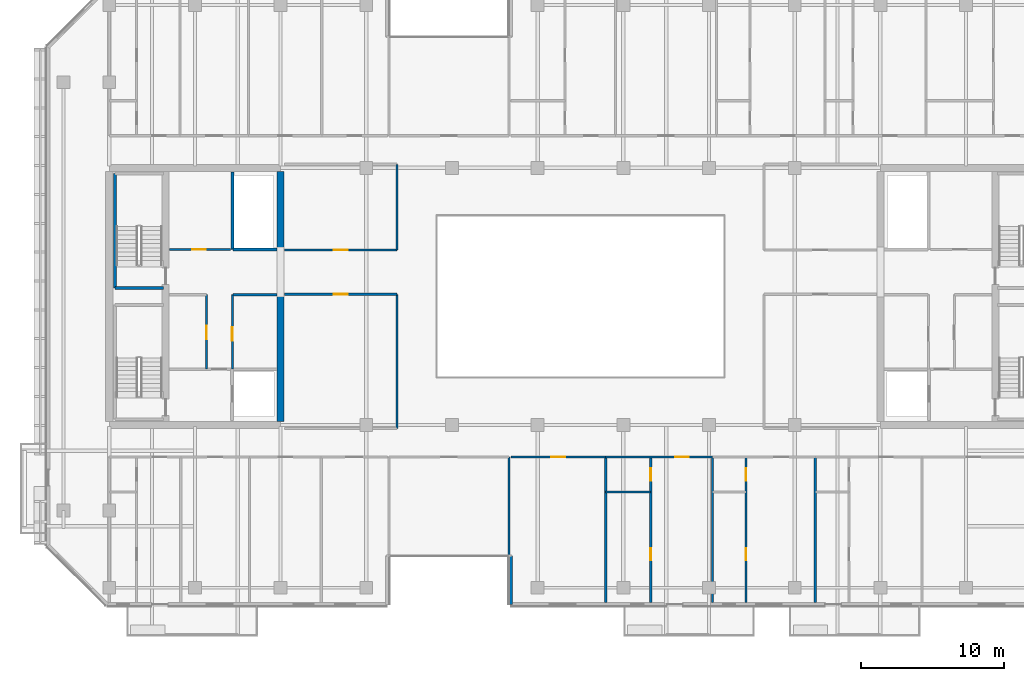
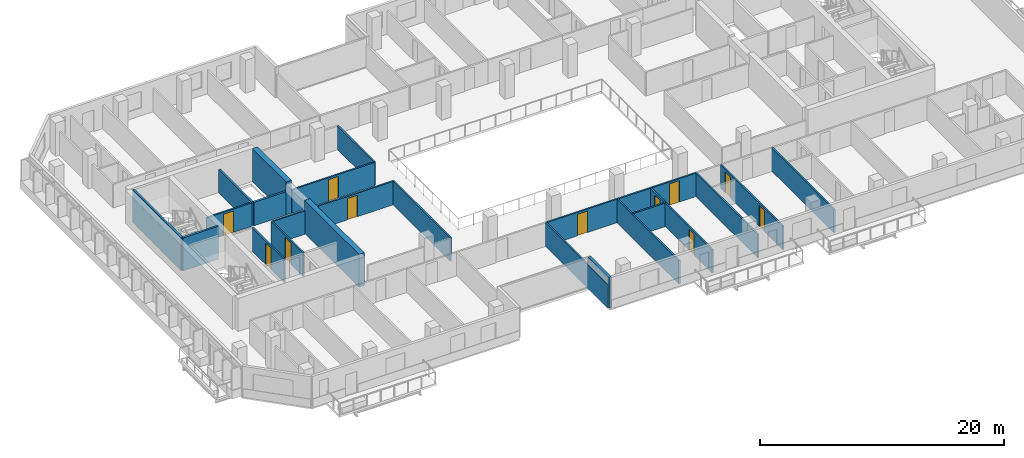
# One storey, part 10 of 19: 24 walls, 11 doors, 11 openings.
"""IFC4 building model written with IfcOpenShell, lengths in metres."""

import ifcopenshell
import ifcopenshell.guid

model = None  # the IFC model being written
_history = None  # IfcOwnerHistory: only IFC2X3 demands one
_inside = {}  # id of a spatial element -> (the spatial element, [elements in it])
_under = {}  # id of a project, library or spatial element -> (it, [spatial elements below it])
_declared = {}  # id of a project -> (the project, [libraries it declares])
_typed = {}  # id of a type object -> (the type object, [elements of that type])
_made_of = {}  # id of a material, layer set ... -> (it, [elements and type objects made of it])


def new_model(schema):
    """Start an empty IFC model of exactly this schema.

    Asked for "IFC4X3", IfcOpenShell would pick the latest addendum, in which some entities
    have other attributes; the version numbers below select the first issue.
    IFC2X3 requires an IfcOwnerHistory on every rooted entity: one is made here for all.
    """
    global model, _history
    if schema == "IFC4X3":
        model = ifcopenshell.file(schema_version=(4, 3, 0, 0))
    else:
        model = ifcopenshell.file(schema=schema)
    _inside.clear()
    _under.clear()
    _declared.clear()
    _typed.clear()
    _made_of.clear()
    _history = None
    if model.schema == "IFC2X3":
        org = make("IfcOrganization", Name="unknown")
        user = make(
            "IfcPersonAndOrganization",
            ThePerson=make("IfcPerson", FamilyName="unknown"),
            TheOrganization=org,
        )
        app = make(
            "IfcApplication",
            ApplicationDeveloper=org,
            Version="unknown",
            ApplicationFullName="unknown",
            ApplicationIdentifier="unknown",
        )
        _history = make(
            "IfcOwnerHistory",
            OwningUser=user,
            OwningApplication=app,
            ChangeAction="ADDED",
            CreationDate=0,
        )
    return model


def make(cls, **values):
    """One entity of the class cls with the attributes given. An attribute that is None is left unset."""
    return model.create_entity(
        cls, **{name: value for name, value in values.items() if value is not None}
    )


def rooted(cls, **values):
    """An entity with a GlobalId (a new one), such as an element, a storey or a relation."""
    return make(cls, GlobalId=ifcopenshell.guid.new(), OwnerHistory=_history, **values)


def si_unit(unit_type, name, prefix=None):
    """IfcSIUnit, for example si_unit("LENGTHUNIT", "METRE", prefix="MILLI")."""
    return make("IfcSIUnit", UnitType=unit_type, Prefix=prefix, Name=name)


def assignment(units):
    """IfcUnitAssignment: the units of a project."""
    return None if units is None else make("IfcUnitAssignment", Units=units)


def point(xyz):
    """IfcCartesianPoint."""
    return None if xyz is None else make("IfcCartesianPoint", Coordinates=xyz)


def direction(xyz):
    """IfcDirection."""
    return None if xyz is None else make("IfcDirection", DirectionRatios=xyz)


def frame(location, z_axis=None, x_axis=None):
    """IfcAxis2Placement3D, a coordinate frame: its origin and axes. An axis left out is left unset."""
    return make(
        "IfcAxis2Placement3D",
        Location=point(location),
        Axis=direction(z_axis),
        RefDirection=direction(x_axis),
    )


def frame_2d(location, x_axis=None):
    """IfcAxis2Placement2D, a coordinate frame in the plane: its origin and x axis."""
    return make(
        "IfcAxis2Placement2D", Location=point(location), RefDirection=direction(x_axis)
    )


def origin():
    """The frame at (0, 0, 0) with its axes left unset."""
    return frame((0.0, 0.0, 0.0))


def place(relative_to, where):
    """IfcLocalPlacement: puts the frame where relative to a parent placement (None: the world)."""
    return make(
        "IfcLocalPlacement", PlacementRelTo=relative_to, RelativePlacement=where
    )


def context(
    kind, dimensions, precision=None, world=None, true_north=None, identifier=None
):
    """IfcGeometricRepresentationContext, for example the 3D "Model" context."""
    return make(
        "IfcGeometricRepresentationContext",
        ContextIdentifier=identifier,
        ContextType=kind,
        CoordinateSpaceDimension=dimensions,
        Precision=precision,
        WorldCoordinateSystem=world,
        TrueNorth=true_north,
    )


def subcontext(parent, identifier, kind, view, scale=None):
    """IfcGeometricRepresentationSubContext, for example "Body" below "Model"."""
    return make(
        "IfcGeometricRepresentationSubContext",
        ContextIdentifier=identifier,
        ContextType=kind,
        ParentContext=parent,
        TargetScale=scale,
        TargetView=view,
    )


def project(units=None, contexts=None):
    """IfcProject with its units and contexts."""
    return rooted(
        "IfcProject",
        Name="project",
        RepresentationContexts=contexts,
        UnitsInContext=assignment(units),
    )


def spatial(cls, under=None, at=None, **own):
    """A site, building, storey or space (cls), placed at a placement, below another one or the project."""
    s = rooted(cls, ObjectPlacement=at, **own)
    if under is not None:
        _under.setdefault(under.id(), (under, []))[1].append(s)
    return s


def profile(cls, at=None, kind="AREA", **sizes):
    """A parametric profile (cls). Its sizes go by their IFC names, for example OverallWidth=200.0."""
    return make(cls, ProfileType=kind, Position=at, **sizes)


def rectangle(**sizes):
    """IfcRectangleProfileDef."""
    return profile("IfcRectangleProfileDef", **sizes)


def extrude(swept, where, along, depth):
    """IfcExtrudedAreaSolid: the profile swept, set in the frame where, extruded along a direction by depth."""
    return make(
        "IfcExtrudedAreaSolid",
        SweptArea=swept,
        Position=where,
        ExtrudedDirection=direction(along),
        Depth=depth,
    )


def shape(context_of_items, identifier, shape_type, items):
    """IfcShapeRepresentation: the items that make up one representation, for example the "Body"."""
    return make(
        "IfcShapeRepresentation",
        ContextOfItems=context_of_items,
        RepresentationIdentifier=identifier,
        RepresentationType=shape_type,
        Items=items,
    )


def material(Name=None, Category=None):
    """IfcMaterial."""
    return make("IfcMaterial", Name=Name, Category=Category)


def layer(
    of_material, thickness, ventilated=None, Name=None, Category=None, Priority=None
):
    """IfcMaterialLayer: one layer of a wall or slab, of a material (None: an air gap)."""
    return make(
        "IfcMaterialLayer",
        Material=of_material,
        LayerThickness=thickness,
        IsVentilated=ventilated,
        Name=Name,
        Category=Category,
        Priority=Priority,
    )


def layer_set(layers, Name=None):
    """IfcMaterialLayerSet."""
    return make("IfcMaterialLayerSet", MaterialLayers=layers, LayerSetName=Name)


def made_of(thing, what):
    """Note that an element or type object is made of a material, layer set ...; save() writes the relation."""
    if what is not None:
        _made_of.setdefault(what.id(), (what, []))[1].append(thing)
    return thing


def type_object(cls, material=None, **own):
    """A type object (cls), such as IfcWallType, which elements share."""
    return made_of(rooted(cls, **own), material)


def element(
    cls,
    number,
    at=None,
    inside=None,
    cuts=None,
    type_object=None,
    material=None,
    context=None,
    identifier="Body",
    shape_type=None,
    held_by="IfcProductDefinitionShape",
    body=None,
    shapes=None,
    **own,
):
    """One element of the class cls, such as IfcWall. Its Tag is "e" and its number.

    at: its placement. inside: the storey or other place that contains it. cuts: it is an
    opening in that element (IfcRelVoidsElement). A single representation is given by context,
    identifier, shape_type and body (its items); several are given by shapes. held_by: the class
    of the entity that holds the representations. save() writes the other relations.
    """
    e = rooted(cls, Tag="e%d" % number, ObjectPlacement=at, **own)
    if body is not None:
        shapes = [shape(context, identifier, shape_type, body)]
    if shapes is not None:
        e.Representation = make(held_by, Representations=shapes)
    if inside is not None:
        _inside.setdefault(inside.id(), (inside, []))[1].append(e)
    if cuts is not None:
        rooted(
            "IfcRelVoidsElement", RelatingBuildingElement=cuts, RelatedOpeningElement=e
        )
    if type_object is not None:
        _typed.setdefault(type_object.id(), (type_object, []))[1].append(e)
    return made_of(e, material)


def fill(opening, filler):
    """IfcRelFillsElement: the door or window that sits in an opening."""
    return rooted(
        "IfcRelFillsElement",
        RelatingOpeningElement=opening,
        RelatedBuildingElement=filler,
    )


def aggregate(whole, parts):
    """IfcRelAggregates: a whole, such as a stair, and the parts it consists of."""
    return rooted("IfcRelAggregates", RelatingObject=whole, RelatedObjects=parts)


def save(model, path):
    """Write the relations noted so far, then the file.

    IfcRelAggregates (storeys below a building ...), IfcRelContainedInSpatialStructure (elements
    in a storey), IfcRelDefinesByType, IfcRelAssociatesMaterial and IfcRelDeclares: one each for
    every whole, place, type object, material and project.
    """
    for whole, parts in _under.values():
        aggregate(whole, parts)
    for where, things in _inside.values():
        rooted(
            "IfcRelContainedInSpatialStructure",
            RelatedElements=things,
            RelatingStructure=where,
        )
    for kind, things in _typed.values():
        rooted("IfcRelDefinesByType", RelatedObjects=things, RelatingType=kind)
    for what, things in _made_of.values():
        rooted("IfcRelAssociatesMaterial", RelatedObjects=things, RelatingMaterial=what)
    for by, libraries in _declared.values():
        rooted("IfcRelDeclares", RelatingContext=by, RelatedDefinitions=libraries)
    model.write(path)


model = new_model("IFC4")

# Units and contexts
model_context = context("Model", 3, precision=1e-05, world=origin(), true_north=direction((0.0, 1.0)))
body_context = subcontext(model_context, "Body", "Model", "MODEL_VIEW")
ifc_project = project(units=[si_unit("LENGTHUNIT", "METRE"), si_unit("AREAUNIT", "SQUARE_METRE"), si_unit("VOLUMEUNIT", "CUBIC_METRE"), si_unit("PLANEANGLEUNIT", "RADIAN"), si_unit("MASSUNIT", "GRAM", prefix="KILO")], contexts=[model_context])

# Site, building, storey
site_placement = place(None, origin())
site = spatial("IfcSite", under=ifc_project, at=site_placement, CompositionType="ELEMENT")
building_placement = place(site_placement, origin())
building = spatial("IfcBuilding", under=site, at=building_placement, Name="Tanjung Sevakor Pilgrim Tower", CompositionType="ELEMENT")
storey_placement = place(building_placement, frame((0.0, 0.0, 135.300048828125)))
storey = spatial("IfcBuildingStorey", under=building, at=storey_placement, Name="L37", CompositionType="ELEMENT", Elevation=135.300048828125)

# Walls
ifc_material_1 = material(Name="Concrete C60/75", Category="concrete")
ifc_layer_1 = layer(ifc_material_1, 0.5)
ifc_layer_set_1 = layer_set([ifc_layer_1], Name="WALL-CW-500")
wall_type_1 = type_object("IfcWallType", Name="WALL-CW-500", PredefinedType="SHEAR", material=ifc_layer_set_1)
wall_1_placement = place(storey_placement, frame((36.0, 24.85009765625, 0.0), z_axis=(0.0, 0.0, 1.0), x_axis=(0.0, 1.0, 0.0)))
element("IfcWall", 1, at=wall_1_placement, inside=storey, type_object=wall_type_1, Name="L37 W Core Inner Shear Wall South", PredefinedType="SHEAR", context=body_context, shape_type="SweptSolid", body=[
    extrude(rectangle(XDim=8.949951171875, YDim=0.5, at=frame_2d((4.47509765625, 0.0))), origin(), (0.0, 0.0, 1.0), 3.300048828125),
])
wall_2_placement = place(storey_placement, frame((36.0, 36.800048828125, 0.0), z_axis=(0.0, 0.0, 1.0), x_axis=(0.0, 1.0, 0.0)))
element("IfcWall", 2, at=wall_2_placement, inside=storey, type_object=wall_type_1, Name="L37 W Core Inner Shear Wall North", PredefinedType="SHEAR", context=body_context, shape_type="SweptSolid", body=[
    extrude(rectangle(XDim=5.550048828125, YDim=0.5, at=frame_2d((2.77490234375, 0.0))), origin(), (0.0, 0.0, 1.0), 3.300048828125),
])

# Wall, opening, door
ifc_material_2 = material(Name="Concrete C40/50", Category="concrete")
ifc_layer_2 = layer(ifc_material_2, 0.14990234375)
ifc_layer_set_2 = layer_set([ifc_layer_2], Name="WT-COMP-150")
wall_type_2 = type_object("IfcWallType", Name="WT-COMP-150", PredefinedType="SOLIDWALL", material=ifc_layer_set_2)
wall_3_placement = place(storey_placement, frame((30.820068359375, 28.5, 0.0), z_axis=(0.0, 0.0, 1.0), x_axis=(0.0, 1.0, 0.0)))
wall_3 = element("IfcWall", 3, at=wall_3_placement, inside=storey, type_object=wall_type_2, Name="L37 Partition IW-L37-004", PredefinedType="SOLIDWALL", context=body_context, shape_type="SweptSolid", body=[
    extrude(rectangle(XDim=5.219970703125, YDim=0.14990234375, at=frame_2d((2.60986328125, 0.0))), origin(), (0.0, 0.0, 1.0), 2.35009765625),
])
opening_1_placement = place(wall_3_placement, frame((2.10009765625, 0.0, 0.0)))
opening_1 = element("IfcOpeningElement", 4, at=opening_1_placement, cuts=wall_3, Name="Opening ID-FD2", PredefinedType="OPENING", context=body_context, shape_type="SweptSolid", body=[
    extrude(rectangle(XDim=0.949951171875, YDim=2.14990234375, at=frame_2d((0.47509765625, 1.074951171875))), frame((0.0, 0.0849609375, 0.0), z_axis=(0.0, -1.0, 0.0), x_axis=(1.0, 0.0, 0.0)), (0.0, 0.0, 1.0), 0.169921875),
])
ifc_material_3 = material(Name="Fire-Rated Timber", Category="wood")
door_type_1 = type_object("IfcDoorType", Name="DT-FIRE-950", OperationType="NOTDEFINED", PredefinedType="DOOR", material=ifc_material_3)
door_1_placement = place(opening_1_placement, origin())
door_1 = element("IfcDoor", 5, at=door_1_placement, inside=storey, type_object=door_type_1, Name="L37 Housekeeping Pantry Door", OperationType="SINGLE_SWING_RIGHT", OverallHeight=2.14990234375, OverallWidth=0.949951171875, PredefinedType="DOOR", context=body_context, shape_type="SweptSolid", body=[
    extrude(rectangle(XDim=0.949951171875, YDim=2.14990234375, at=frame_2d((0.47509765625, 1.074951171875))), frame((0.0, 0.02490234375, 0.0), z_axis=(0.0, -1.0, 0.0), x_axis=(1.0, 0.0, 0.0)), (0.0, 0.0, 1.0), 0.050048828125),
])
fill(opening_1, door_1)

# Wall
wall_4_placement = place(storey_placement, frame((32.679931640625, 33.719970703125, 0.0), z_axis=(0.0, 0.0, 1.0), x_axis=(1.0, 0.0, 0.0)))
element("IfcWall", 6, at=wall_4_placement, inside=storey, type_object=wall_type_2, Name="L37 Partition IW-L37-005", PredefinedType="SOLIDWALL", context=body_context, shape_type="SweptSolid", body=[
    extrude(rectangle(XDim=3.050048828125, YDim=0.14990234375, at=frame_2d((1.52490234375, 0.0))), origin(), (0.0, 0.0, 1.0), 2.35009765625),
])

# Wall, opening, door
wall_5_placement = place(storey_placement, frame((32.6201171875, 28.5, 0.0), z_axis=(0.0, 0.0, 1.0), x_axis=(0.0, 1.0, 0.0)))
wall_5 = element("IfcWall", 7, at=wall_5_placement, inside=storey, type_object=wall_type_2, Name="L37 Partition IW-L37-006", PredefinedType="SOLIDWALL", context=body_context, shape_type="SweptSolid", body=[
    extrude(rectangle(XDim=5.219970703125, YDim=0.14990234375, at=frame_2d((2.60986328125, 0.0))), origin(), (0.0, 0.0, 1.0), 2.35009765625),
])
opening_2_placement = place(wall_5_placement, frame((2.0, 0.0, 0.0)))
opening_2 = element("IfcOpeningElement", 8, at=opening_2_placement, cuts=wall_5, Name="Opening ID-FD2", PredefinedType="OPENING", context=body_context, shape_type="SweptSolid", body=[
    extrude(rectangle(XDim=0.949951171875, YDim=2.14990234375, at=frame_2d((0.47509765625, 1.074951171875))), frame((0.0, 0.0849609375, 0.0), z_axis=(0.0, -1.0, 0.0), x_axis=(1.0, 0.0, 0.0)), (0.0, 0.0, 1.0), 0.169921875),
])
door_2_placement = place(opening_2_placement, origin())
door_2 = element("IfcDoor", 9, at=door_2_placement, inside=storey, type_object=door_type_1, Name="L37 Accessible WC Door", OperationType="SINGLE_SWING_LEFT", OverallHeight=2.14990234375, OverallWidth=0.949951171875, PredefinedType="DOOR", context=body_context, shape_type="SweptSolid", body=[
    extrude(rectangle(XDim=0.949951171875, YDim=2.14990234375, at=frame_2d((0.47509765625, 1.074951171875))), frame((0.0, 0.02490234375, 0.0), z_axis=(0.0, -1.0, 0.0), x_axis=(1.0, 0.0, 0.0)), (0.0, 0.0, 1.0), 0.050048828125),
])
fill(opening_2, door_2)

wall_6_placement = place(storey_placement, frame((28.219970703125, 36.8798828125, 0.0), z_axis=(0.0, 0.0, 1.0), x_axis=(1.0, 0.0, 0.0)))
wall_6 = element("IfcWall", 10, at=wall_6_placement, inside=storey, type_object=wall_type_2, Name="L37 Partition IW-L37-007", PredefinedType="SOLIDWALL", context=body_context, shape_type="SweptSolid", body=[
    extrude(rectangle(XDim=4.280029296875, YDim=0.14990234375, at=frame_2d((2.14013671875, 0.0))), origin(), (0.0, 0.0, 1.0), 2.35009765625),
])
opening_3_placement = place(wall_6_placement, frame((1.60009765625, 0.0, 0.0)))
opening_3 = element("IfcOpeningElement", 11, at=opening_3_placement, cuts=wall_6, Name="Opening ID-FD2", PredefinedType="OPENING", context=body_context, shape_type="SweptSolid", body=[
    extrude(rectangle(XDim=0.949951171875, YDim=2.14990234375, at=frame_2d((0.47509765625, 1.074951171875))), frame((0.0, 0.0849609375, 0.0), z_axis=(0.0, -1.0, 0.0), x_axis=(1.0, 0.0, 0.0)), (0.0, 0.0, 1.0), 0.169921875),
])
door_3_placement = place(opening_3_placement, origin())
door_3 = element("IfcDoor", 12, at=door_3_placement, inside=storey, type_object=door_type_1, Name="L37 Core Prayer Room Door", OperationType="SINGLE_SWING_RIGHT", OverallHeight=2.14990234375, OverallWidth=0.949951171875, PredefinedType="DOOR", context=body_context, shape_type="SweptSolid", body=[
    extrude(rectangle(XDim=0.949951171875, YDim=2.14990234375, at=frame_2d((0.47509765625, 1.074951171875))), frame((0.0, 0.02490234375, 0.0), z_axis=(0.0, -1.0, 0.0), x_axis=(1.0, 0.0, 0.0)), (0.0, 0.0, 1.0), 0.050048828125),
])
fill(opening_3, door_3)

wall_7_placement = place(storey_placement, frame((36.27001953125, 33.75, 0.0), z_axis=(0.0, 0.0, 1.0), x_axis=(1.0, 0.0, 0.0)))
wall_7 = element("IfcWall", 13, at=wall_7_placement, inside=storey, type_object=wall_type_2, Name="L37 Partition IW-L37-020", PredefinedType="SOLIDWALL", context=body_context, shape_type="SweptSolid", body=[
    extrude(rectangle(XDim=7.8798828125, YDim=0.14990234375, at=frame_2d((3.93994140625, 0.0))), origin(), (0.0, 0.0, 1.0), 2.35009765625),
])
opening_4_placement = place(wall_7_placement, frame((3.465087890625, 0.0, 0.0)))
opening_4 = element("IfcOpeningElement", 14, at=opening_4_placement, cuts=wall_7, Name="Opening ID-RM1", PredefinedType="OPENING", context=body_context, shape_type="SweptSolid", body=[
    extrude(rectangle(XDim=0.949951171875, YDim=2.14990234375, at=frame_2d((0.47509765625, 1.074951171875))), frame((0.0, 0.0849609375, 0.0), z_axis=(0.0, -1.0, 0.0), x_axis=(1.0, 0.0, 0.0)), (0.0, 0.0, 1.0), 0.169921875),
])
ifc_material_4 = material(Name="Hardwood Timber", Category="wood")
door_type_2 = type_object("IfcDoorType", Name="DT-INT-950", OperationType="NOTDEFINED", PredefinedType="DOOR", material=ifc_material_4)
door_4_placement = place(opening_4_placement, origin())
door_4 = element("IfcDoor", 15, at=door_4_placement, inside=storey, type_object=door_type_2, Name="L37 West Inboard South Door", OperationType="SINGLE_SWING_RIGHT", OverallHeight=2.14990234375, OverallWidth=0.949951171875, PredefinedType="DOOR", context=body_context, shape_type="SweptSolid", body=[
    extrude(rectangle(XDim=0.949951171875, YDim=2.14990234375, at=frame_2d((0.47509765625, 1.074951171875))), frame((0.0, 0.02490234375, 0.0), z_axis=(0.0, -1.0, 0.0), x_axis=(1.0, 0.0, 0.0)), (0.0, 0.0, 1.0), 0.050048828125),
])
fill(opening_4, door_4)

# Wall
wall_8_placement = place(storey_placement, frame((44.14990234375, 24.35009765625, 0.0), z_axis=(0.0, 0.0, 1.0), x_axis=(0.0, 1.0, 0.0)))
element("IfcWall", 16, at=wall_8_placement, inside=storey, type_object=wall_type_2, Name="L37 Partition IW-L37-021", PredefinedType="SOLIDWALL", context=body_context, shape_type="SweptSolid", body=[
    extrude(rectangle(XDim=9.39990234375, YDim=0.14990234375, at=frame_2d((4.699951171875, 0.0))), origin(), (0.0, 0.0, 1.0), 2.35009765625),
])

# Wall, opening, door
wall_9_placement = place(storey_placement, frame((36.27001953125, 36.85009765625, 0.0), z_axis=(0.0, 0.0, 1.0), x_axis=(1.0, 0.0, 0.0)))
wall_9 = element("IfcWall", 17, at=wall_9_placement, inside=storey, type_object=wall_type_2, Name="L37 Partition IW-L37-022", PredefinedType="SOLIDWALL", context=body_context, shape_type="SweptSolid", body=[
    extrude(rectangle(XDim=7.8798828125, YDim=0.14990234375, at=frame_2d((3.93994140625, 0.0))), origin(), (0.0, 0.0, 1.0), 2.35009765625),
])
opening_5_placement = place(wall_9_placement, frame((3.465087890625, 0.0, 0.0)))
opening_5 = element("IfcOpeningElement", 18, at=opening_5_placement, cuts=wall_9, Name="Opening ID-RM1", PredefinedType="OPENING", context=body_context, shape_type="SweptSolid", body=[
    extrude(rectangle(XDim=0.949951171875, YDim=2.14990234375, at=frame_2d((0.47509765625, 1.074951171875))), frame((0.0, 0.0849609375, 0.0), z_axis=(0.0, -1.0, 0.0), x_axis=(1.0, 0.0, 0.0)), (0.0, 0.0, 1.0), 0.169921875),
])
door_5_placement = place(opening_5_placement, origin())
door_5 = element("IfcDoor", 19, at=door_5_placement, inside=storey, type_object=door_type_2, Name="L37 West Inboard North Door", OperationType="SINGLE_SWING_LEFT", OverallHeight=2.14990234375, OverallWidth=0.949951171875, PredefinedType="DOOR", context=body_context, shape_type="SweptSolid", body=[
    extrude(rectangle(XDim=0.949951171875, YDim=2.14990234375, at=frame_2d((0.47509765625, 1.074951171875))), frame((0.0, 0.02490234375, 0.0), z_axis=(0.0, -1.0, 0.0), x_axis=(1.0, 0.0, 0.0)), (0.0, 0.0, 1.0), 0.050048828125),
])
fill(opening_5, door_5)

# Walls
wall_10_placement = place(storey_placement, frame((44.14990234375, 36.85009765625, 0.0), z_axis=(0.0, 0.0, 1.0), x_axis=(0.0, 1.0, 0.0)))
element("IfcWall", 20, at=wall_10_placement, inside=storey, type_object=wall_type_2, Name="L37 Partition IW-L37-024", PredefinedType="SOLIDWALL", context=body_context, shape_type="SweptSolid", body=[
    extrude(rectangle(XDim=6.0, YDim=0.14990234375, at=frame_2d((3.0, 0.0))), origin(), (0.0, 0.0, 1.0), 2.35009765625),
])
for number, where, z_axis, x_axis, name in (
    (21, (52.0, 12.14990234375, 0.0), (0.0, 0.0, 1.0), (0.0, 1.0, 0.0), "L37 Partition IW-L37-033"),
    (22, (58.7666015625, 12.14990234375, 0.0), (0.0, 0.0, 1.0), (0.0, 1.0, 0.0), "L37 Partition IW-L37-048"),
):
    element("IfcWall", number, at=place(storey_placement, frame(where, z_axis=z_axis, x_axis=x_axis)), inside=storey, type_object=wall_type_2, Name=name, PredefinedType="SOLIDWALL", context=body_context, shape_type="SweptSolid", body=[
        extrude(rectangle(XDim=10.2001953125, YDim=0.14990234375, at=frame_2d((5.10009765625, 0.0))), origin(), (0.0, 0.0, 1.0), 2.35009765625),
    ])

# Wall, opening, door
wall_11_placement = place(storey_placement, frame((52.1201171875, 22.35009765625, 0.0), z_axis=(0.0, 0.0, 1.0), x_axis=(1.0, 0.0, 0.0)))
wall_11 = element("IfcWall", 23, at=wall_11_placement, inside=storey, type_object=wall_type_2, Name="L37 Partition IW-L37-049", PredefinedType="SOLIDWALL", context=body_context, shape_type="SweptSolid", body=[
    extrude(rectangle(XDim=6.646484375, YDim=0.14990234375, at=frame_2d((3.3232421875, 0.0))), origin(), (0.0, 0.0, 1.0), 2.35009765625),
])
opening_6_placement = place(wall_11_placement, frame((2.848388671875, 0.0, 0.0)))
opening_6 = element("IfcOpeningElement", 24, at=opening_6_placement, cuts=wall_11, Name="Opening ID-FD2", PredefinedType="OPENING", context=body_context, shape_type="SweptSolid", body=[
    extrude(rectangle(XDim=0.949951171875, YDim=2.14990234375, at=frame_2d((0.47509765625, 1.074951171875))), frame((0.0, 0.0849609375, 0.0), z_axis=(0.0, -1.0, 0.0), x_axis=(1.0, 0.0, 0.0)), (0.0, 0.0, 1.0), 0.169921875),
])
door_6_placement = place(opening_6_placement, origin())
door_6 = element("IfcDoor", 25, at=door_6_placement, inside=storey, type_object=door_type_1, Name="Housekeeping Pantry Door", OperationType="SINGLE_SWING_RIGHT", OverallHeight=2.14990234375, OverallWidth=0.949951171875, PredefinedType="DOOR", context=body_context, shape_type="SweptSolid", body=[
    extrude(rectangle(XDim=0.949951171875, YDim=2.14990234375, at=frame_2d((0.47509765625, 1.074951171875))), frame((0.0, 0.02490234375, 0.0), z_axis=(0.0, -1.0, 0.0), x_axis=(1.0, 0.0, 0.0)), (0.0, 0.0, 1.0), 0.050048828125),
])
fill(opening_6, door_6)

# Wall
wall_12_placement = place(storey_placement, frame((66.244140625, 12.14990234375, 0.0), z_axis=(0.0, 0.0, 1.0), x_axis=(0.0, 1.0, 0.0)))
element("IfcWall", 26, at=wall_12_placement, inside=storey, type_object=wall_type_2, Name="L37 Partition IW-L37-050", PredefinedType="SOLIDWALL", context=body_context, shape_type="SweptSolid", body=[
    extrude(rectangle(XDim=10.2001953125, YDim=0.14990234375, at=frame_2d((5.10009765625, 0.0))), origin(), (0.0, 0.0, 1.0), 2.35009765625),
])

# Wall, opening, door
wall_13_placement = place(storey_placement, frame((58.7666015625, 22.35009765625, 0.0), z_axis=(0.0, 0.0, 1.0), x_axis=(1.0, 0.0, 0.0)))
wall_13 = element("IfcWall", 27, at=wall_13_placement, inside=storey, type_object=wall_type_2, Name="L37 Partition IW-L37-053", PredefinedType="SOLIDWALL", context=body_context, shape_type="SweptSolid", body=[
    extrude(rectangle(XDim=7.4775390625, YDim=0.14990234375, at=frame_2d((3.73876953125, 0.0))), origin(), (0.0, 0.0, 1.0), 2.35009765625),
])
opening_7_placement = place(wall_13_placement, frame((4.880615234375, 0.0, 0.0)))
opening_7 = element("IfcOpeningElement", 28, at=opening_7_placement, cuts=wall_13, Name="Opening ID-FD2", PredefinedType="OPENING", context=body_context, shape_type="SweptSolid", body=[
    extrude(rectangle(XDim=0.949951171875, YDim=2.14990234375, at=frame_2d((0.47509765625, 1.074951171875))), frame((0.0, 0.0849609375, 0.0), z_axis=(0.0, -1.0, 0.0), x_axis=(1.0, 0.0, 0.0)), (0.0, 0.0, 1.0), 0.169921875),
])
door_7_placement = place(opening_7_placement, origin())
door_7 = element("IfcDoor", 29, at=door_7_placement, inside=storey, type_object=door_type_1, Name="Hostel Quad Entrance", OperationType="SINGLE_SWING_LEFT", OverallHeight=2.14990234375, OverallWidth=0.949951171875, PredefinedType="DOOR", context=body_context, shape_type="SweptSolid", body=[
    extrude(rectangle(XDim=0.949951171875, YDim=2.14990234375, at=frame_2d((0.47509765625, 1.074951171875))), frame((0.0, 0.02490234375, 0.0), z_axis=(0.0, -1.0, 0.0), x_axis=(1.0, 0.0, 0.0)), (0.0, 0.0, 1.0), 0.050048828125),
])
fill(opening_7, door_7)

# Walls
wall_14_placement = place(storey_placement, frame((73.444580078125, 12.14990234375, 0.0), z_axis=(0.0, 0.0, 1.0), x_axis=(0.0, 1.0, 0.0)))
element("IfcWall", 30, at=wall_14_placement, inside=storey, type_object=wall_type_2, Name="L37 Partition IW-L37-054", PredefinedType="SOLIDWALL", context=body_context, shape_type="SweptSolid", body=[
    extrude(rectangle(XDim=10.2001953125, YDim=0.14990234375, at=frame_2d((5.10009765625, 0.0))), origin(), (0.0, 0.0, 1.0), 2.35009765625),
])
ifc_material_5 = material(Name="Precast concrete C45/55", Category="concrete")
ifc_layer_3 = layer(ifc_material_5, 0.25)
ifc_layer_set_3 = layer_set([ifc_layer_3], Name="WT-EW-STN3")
wall_type_3 = type_object("IfcWallType", Name="WT-EW-STN3", PredefinedType="SOLIDWALL", material=ifc_layer_set_3)
wall_15_placement = place(storey_placement, frame((52.125, 15.425048828125, 0.0), z_axis=(0.0, 0.0, 1.0), x_axis=(0.0, -1.0, 0.0)))
element("IfcWall", 31, at=wall_15_placement, inside=storey, type_object=wall_type_3, Name="L37 MAIN Exterior Wall 4", PredefinedType="SOLIDWALL", context=body_context, shape_type="SweptSolid", body=[
    extrude(rectangle(XDim=3.400146484375, YDim=0.25, at=frame_2d((1.7001953125, 0.0))), origin(), (0.0, 0.0, 1.0), 3.080078125),
])
ifc_material_6 = material(Name="Concrete C40/50", Category="concrete")
ifc_layer_4 = layer(ifc_material_6, 0.199951171875)
ifc_layer_set_4 = layer_set([ifc_layer_4], Name="WT-FIRE-200")
wall_type_4 = type_object("IfcWallType", Name="WT-FIRE-200", PredefinedType="SOLIDWALL", material=ifc_layer_set_4)
wall_16_placement = place(storey_placement, frame((24.39990234375, 34.199951171875, 0.0), z_axis=(0.0, 0.0, 1.0), x_axis=(1.0, 0.0, 0.0)))
element("IfcWall", 32, at=wall_16_placement, inside=storey, type_object=wall_type_4, Name="L37 TS-W2 Shaft Wall 1", PredefinedType="SOLIDWALL", context=body_context, shape_type="SweptSolid", body=[
    extrude(rectangle(XDim=3.400146484375, YDim=0.199951171875, at=frame_2d((1.7001953125, 0.0))), origin(), (0.0, 0.0, 1.0), 3.300048828125),
])
wall_17_placement = place(storey_placement, frame((24.39990234375, 42.199951171875, 0.0), z_axis=(0.0, 0.0, 1.0), x_axis=(0.0, -1.0, 0.0)))
element("IfcWall", 33, at=wall_17_placement, inside=storey, type_object=wall_type_4, Name="L37 TS-W2 Shaft Wall 3", PredefinedType="SOLIDWALL", context=body_context, shape_type="SweptSolid", body=[
    extrude(rectangle(XDim=8.0, YDim=0.199951171875, at=frame_2d((4.0, 0.0))), origin(), (0.0, 0.0, 1.0), 3.300048828125),
])
ifc_material_7 = material(Name="Concrete C40/50", Category="concrete")
ifc_layer_5 = layer(ifc_material_7, 0.199951171875)
ifc_layer_set_5 = layer_set([ifc_layer_5], Name="WT-FPRT-200")
wall_type_5 = type_object("IfcWallType", Name="WT-FPRT-200", PredefinedType="SOLIDWALL", material=ifc_layer_set_5)
wall_18_placement = place(storey_placement, frame((32.679931640625, 36.8798828125, 0.0), z_axis=(0.0, 0.0, 1.0), x_axis=(1.0, 0.0, 0.0)))
element("IfcWall", 34, at=wall_18_placement, inside=storey, type_object=wall_type_5, Name="L37 Partition IW-L37-008", PredefinedType="SOLIDWALL", context=body_context, shape_type="SweptSolid", body=[
    extrude(rectangle(XDim=3.050048828125, YDim=0.199951171875, at=frame_2d((1.52490234375, 0.0))), origin(), (0.0, 0.0, 1.0), 2.35009765625),
])
wall_19_placement = place(storey_placement, frame((32.6201171875, 36.8798828125, 0.0), z_axis=(0.0, 0.0, 1.0), x_axis=(0.0, 1.0, 0.0)))
element("IfcWall", 35, at=wall_19_placement, inside=storey, type_object=wall_type_5, Name="L37 Partition IW-L37-009", PredefinedType="SOLIDWALL", context=body_context, shape_type="SweptSolid", body=[
    extrude(rectangle(XDim=5.420166015625, YDim=0.199951171875, at=frame_2d((2.7099609375, 0.0))), origin(), (0.0, 0.0, 1.0), 2.35009765625),
])
ifc_material_8 = material(Name="Gypsum Board Partition", Category="gypsum board")
ifc_layer_6 = layer(ifc_material_8, 0.14990234375)
ifc_layer_set_6 = layer_set([ifc_layer_6], Name="WT-PART-150")
wall_type_6 = type_object("IfcWallType", Name="WT-PART-150", PredefinedType="PARTITIONING", material=ifc_layer_set_6)
wall_20_placement = place(storey_placement, frame((58.7666015625, 19.89990234375, 0.0), z_axis=(0.0, 0.0, 1.0), x_axis=(1.0, 0.0, 0.0)))
element("IfcWall", 36, at=wall_20_placement, inside=storey, type_object=wall_type_6, Name="L37 Partition IW-L37-051", PredefinedType="PARTITIONING", context=body_context, shape_type="SweptSolid", body=[
    extrude(rectangle(XDim=3.1533203125, YDim=0.14990234375, at=frame_2d((1.57666015625, 0.0))), origin(), (0.0, 0.0, 1.0), 2.35009765625),
])

# Wall, openings, doors
wall_21_placement = place(storey_placement, frame((61.919921875, 12.14990234375, 0.0), z_axis=(0.0, 0.0, 1.0), x_axis=(0.0, 1.0, 0.0)))
wall_21 = element("IfcWall", 37, at=wall_21_placement, inside=storey, type_object=wall_type_6, Name="L37 Partition IW-L37-052", PredefinedType="PARTITIONING", context=body_context, shape_type="SweptSolid", body=[
    extrude(rectangle(XDim=10.2001953125, YDim=0.14990234375, at=frame_2d((5.10009765625, 0.0))), origin(), (0.0, 0.0, 1.0), 2.35009765625),
])
opening_8_placement = place(wall_21_placement, frame((2.9599609375, 0.0, 0.0)))
opening_8 = element("IfcOpeningElement", 38, at=opening_8_placement, cuts=wall_21, Name="Opening ID-WC1", PredefinedType="OPENING", context=body_context, shape_type="SweptSolid", body=[
    extrude(rectangle(XDim=0.85009765625, YDim=2.10009765625, at=frame_2d((0.425048828125, 1.050048828125))), frame((0.0, 0.0849609375, 0.0), z_axis=(0.0, -1.0, 0.0), x_axis=(1.0, 0.0, 0.0)), (0.0, 0.0, 1.0), 0.169921875),
])
opening_9_placement = place(wall_21_placement, frame((8.550048828125, 0.0, 0.0)))
opening_9 = element("IfcOpeningElement", 39, at=opening_9_placement, cuts=wall_21, Name="Opening ID-WC1", PredefinedType="OPENING", context=body_context, shape_type="SweptSolid", body=[
    extrude(rectangle(XDim=0.85009765625, YDim=2.10009765625, at=frame_2d((0.425048828125, 1.050048828125))), frame((0.0, 0.0849609375, 0.0), z_axis=(0.0, -1.0, 0.0), x_axis=(1.0, 0.0, 0.0)), (0.0, 0.0, 1.0), 0.169921875),
])
ifc_material_9 = material(Name="Moisture-Resistant Timber", Category="wood")
door_type_3 = type_object("IfcDoorType", Name="DT-INT-850", OperationType="NOTDEFINED", PredefinedType="DOOR", material=ifc_material_9)
door_8_placement = place(opening_8_placement, origin())
door_8 = element("IfcDoor", 40, at=door_8_placement, inside=storey, type_object=door_type_3, Name="Study Nook Door", OperationType="SINGLE_SWING_LEFT", OverallHeight=2.10009765625, OverallWidth=0.85009765625, PredefinedType="DOOR", context=body_context, shape_type="SweptSolid", body=[
    extrude(rectangle(XDim=0.85009765625, YDim=2.10009765625, at=frame_2d((0.425048828125, 1.050048828125))), frame((0.0, 0.02490234375, 0.0), z_axis=(0.0, -1.0, 0.0), x_axis=(1.0, 0.0, 0.0)), (0.0, 0.0, 1.0), 0.050048828125),
])
fill(opening_8, door_8)
door_9_placement = place(opening_9_placement, origin())
door_9 = element("IfcDoor", 41, at=door_9_placement, inside=storey, type_object=door_type_3, Name="Bathroom Door", OperationType="SINGLE_SWING_RIGHT", OverallHeight=2.10009765625, OverallWidth=0.85009765625, PredefinedType="DOOR", context=body_context, shape_type="SweptSolid", body=[
    extrude(rectangle(XDim=0.85009765625, YDim=2.10009765625, at=frame_2d((0.425048828125, 1.050048828125))), frame((0.0, 0.02490234375, 0.0), z_axis=(0.0, -1.0, 0.0), x_axis=(1.0, 0.0, 0.0)), (0.0, 0.0, 1.0), 0.050048828125),
])
fill(opening_9, door_9)

wall_22_placement = place(storey_placement, frame((68.593994140625, 12.14990234375, 0.0), z_axis=(0.0, 0.0, 1.0), x_axis=(0.0, 1.0, 0.0)))
wall_22 = element("IfcWall", 42, at=wall_22_placement, inside=storey, type_object=wall_type_6, Name="L37 Partition IW-L37-056", PredefinedType="PARTITIONING", context=body_context, shape_type="SweptSolid", body=[
    extrude(rectangle(XDim=10.2001953125, YDim=0.14990234375, at=frame_2d((5.10009765625, 0.0))), origin(), (0.0, 0.0, 1.0), 2.35009765625),
])
opening_10_placement = place(wall_22_placement, frame((2.9599609375, 0.0, 0.0)))
opening_10 = element("IfcOpeningElement", 43, at=opening_10_placement, cuts=wall_22, Name="Opening ID-WC1", PredefinedType="OPENING", context=body_context, shape_type="SweptSolid", body=[
    extrude(rectangle(XDim=0.85009765625, YDim=2.10009765625, at=frame_2d((0.425048828125, 1.050048828125))), frame((0.0, 0.0849609375, 0.0), z_axis=(0.0, -1.0, 0.0), x_axis=(1.0, 0.0, 0.0)), (0.0, 0.0, 1.0), 0.169921875),
])
opening_11_placement = place(wall_22_placement, frame((8.550048828125, 0.0, 0.0)))
opening_11 = element("IfcOpeningElement", 44, at=opening_11_placement, cuts=wall_22, Name="Opening ID-WC1", PredefinedType="OPENING", context=body_context, shape_type="SweptSolid", body=[
    extrude(rectangle(XDim=0.85009765625, YDim=2.10009765625, at=frame_2d((0.425048828125, 1.050048828125))), frame((0.0, 0.0849609375, 0.0), z_axis=(0.0, -1.0, 0.0), x_axis=(1.0, 0.0, 0.0)), (0.0, 0.0, 1.0), 0.169921875),
])
door_10_placement = place(opening_10_placement, origin())
door_10 = element("IfcDoor", 45, at=door_10_placement, inside=storey, type_object=door_type_3, Name="Study Nook Door", OperationType="SINGLE_SWING_RIGHT", OverallHeight=2.10009765625, OverallWidth=0.85009765625, PredefinedType="DOOR", context=body_context, shape_type="SweptSolid", body=[
    extrude(rectangle(XDim=0.85009765625, YDim=2.10009765625, at=frame_2d((0.425048828125, 1.050048828125))), frame((0.0, 0.02490234375, 0.0), z_axis=(0.0, -1.0, 0.0), x_axis=(1.0, 0.0, 0.0)), (0.0, 0.0, 1.0), 0.050048828125),
])
fill(opening_10, door_10)
door_11_placement = place(opening_11_placement, origin())
door_11 = element("IfcDoor", 46, at=door_11_placement, inside=storey, type_object=door_type_3, Name="Bathroom Door", OperationType="SINGLE_SWING_LEFT", OverallHeight=2.10009765625, OverallWidth=0.85009765625, PredefinedType="DOOR", context=body_context, shape_type="SweptSolid", body=[
    extrude(rectangle(XDim=0.85009765625, YDim=2.10009765625, at=frame_2d((0.425048828125, 1.050048828125))), frame((0.0, 0.02490234375, 0.0), z_axis=(0.0, -1.0, 0.0), x_axis=(1.0, 0.0, 0.0)), (0.0, 0.0, 1.0), 0.050048828125),
])
fill(opening_11, door_11)

save(model, "model.ifc")
